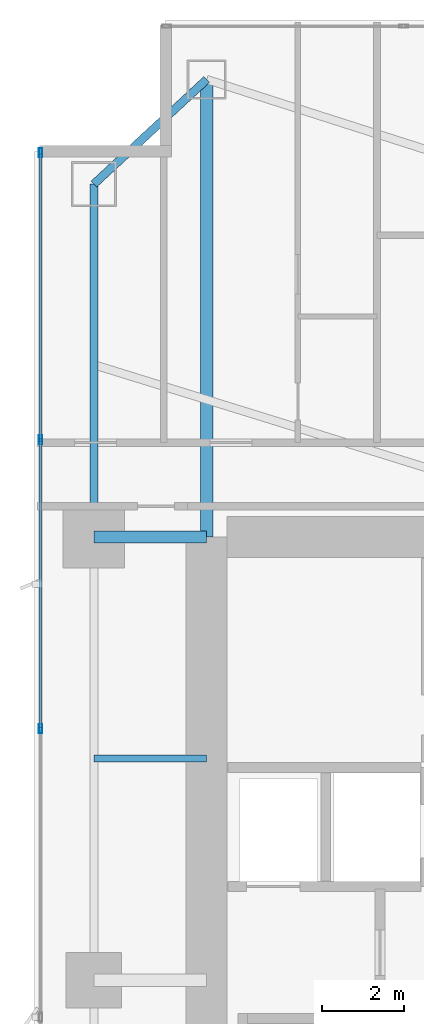
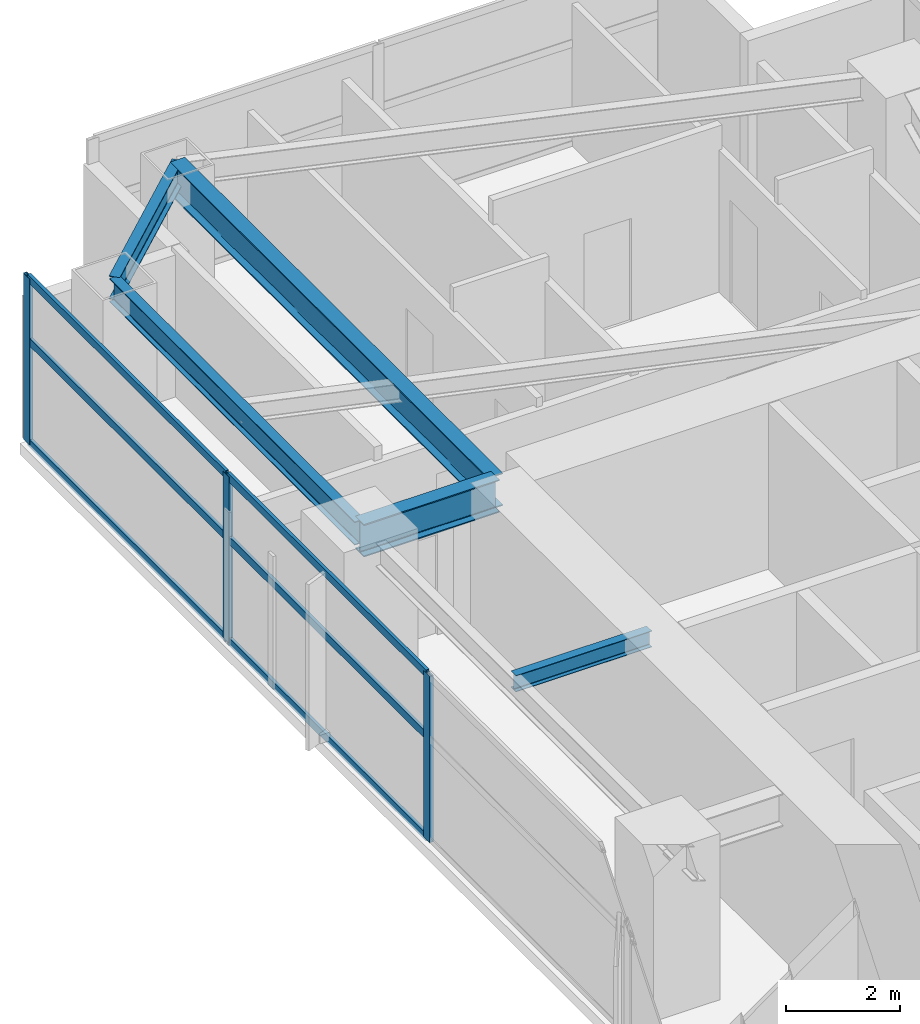
# One storey, part 16 of 29: 9 members, 5 beams, 1 element without a shape of its own.
"""IFC4 building model written with IfcOpenShell, lengths in metres."""

from ifc_helpers import new_model, si_unit, direction, frame, origin, origin_2d, place, context, subcontext, project, spatial, hollow_rectangle, i_section, extrude, material, layer, layer_set, material_profile, profile_set, type_object, element, aggregate, save


model = new_model("IFC4")

# Units and contexts
model_context = context("Model", 3, precision=1e-05, world=origin(), true_north=direction((0.0, 1.0)))
body_context = subcontext(model_context, "Body", "Model", "MODEL_VIEW")
ifc_project = project(units=[si_unit("LENGTHUNIT", "METRE"), si_unit("AREAUNIT", "SQUARE_METRE"), si_unit("VOLUMEUNIT", "CUBIC_METRE"), si_unit("PLANEANGLEUNIT", "RADIAN"), si_unit("MASSUNIT", "GRAM", prefix="KILO")], contexts=[model_context])

# Site, building, storey
site_placement = place(None, origin())
site = spatial("IfcSite", under=ifc_project, at=site_placement, CompositionType="ELEMENT")
building_placement = place(site_placement, origin())
building = spatial("IfcBuilding", under=site, at=building_placement, Name="Calvorn Quay Hotel", CompositionType="ELEMENT")
storey_placement = place(building_placement, frame((0.0, 0.0, 34.60009765625)))
storey = spatial("IfcBuildingStorey", under=building, at=storey_placement, Name="L07", CompositionType="ELEMENT", Elevation=34.60009765625)

# Beams
ifc_material_1 = material(Name="Steel Q390GJC", Category="steel")
ifc_material_profile_1 = material_profile(ifc_material_1, i_section(OverallWidth=0.300048828125, OverallDepth=0.699951171875, WebThickness=0.012939453125, FlangeThickness=0.02392578125, FilletRadius=0.02392578125, at=origin_2d()), Name="HN700x300x13x24")
ifc_profile_set_1 = profile_set([ifc_material_profile_1], Name="Steel Q390GJC")
beam_type_1 = type_object("IfcBeamType", Name="BM-GIRD-MAIN", PredefinedType="BEAM", material=ifc_profile_set_1)
beam_1_placement = place(storey_placement, frame((1.449951171875, 38.39990234375, 3.18994140625), z_axis=(1.0, 0.0, 0.0), x_axis=(0.0, 1.0, 0.0)))
element("IfcBeam", 1, at=beam_1_placement, inside=storey, type_object=beam_type_1, Name="Beam BG-L07-W3", PredefinedType="BEAM", context=body_context, shape_type="SweptSolid", body=[
    extrude(i_section(OverallWidth=0.300048828125, OverallDepth=0.699951171875, WebThickness=0.012939453125, FlangeThickness=0.02392578125, FilletRadius=0.02392578125, at=origin_2d()), origin(), (0.0, 0.0, 1.0), 2.75),
])
beam_2_placement = place(storey_placement, frame((4.199951171875, 49.550048828125, 3.18994140625), z_axis=(0.0, -1.0, 0.0), x_axis=(1.0, 0.0, 0.0)))
element("IfcBeam", 2, at=beam_2_placement, inside=storey, type_object=beam_type_1, Name="Beam BG-L07-W5", PredefinedType="BEAM", context=body_context, shape_type="SweptSolid", body=[
    extrude(i_section(OverallWidth=0.300048828125, OverallDepth=0.699951171875, WebThickness=0.012939453125, FlangeThickness=0.02392578125, FilletRadius=0.02392578125, at=origin_2d()), origin(), (0.0, 0.0, 1.0), 11.150146484375),
])
ifc_material_2 = material(Name="Steel Q355B", Category="steel")
ifc_material_profile_2 = material_profile(ifc_material_2, i_section(OverallWidth=0.175048828125, OverallDepth=0.35009765625, WebThickness=0.007080078125, FlangeThickness=0.010986328125, FilletRadius=0.013916015625, at=origin_2d()), Name="HN350x175x7x11")
ifc_profile_set_2 = profile_set([ifc_material_profile_2], Name="Steel Q355B")
beam_type_2 = type_object("IfcBeamType", Name="BM-JOIST-SEC", PredefinedType="JOIST", material=ifc_profile_set_2)
beam_3_placement = place(storey_placement, frame((1.449951171875, 33.0, 3.364990234375), z_axis=(1.0, 0.0, 0.0), x_axis=(0.0, 1.0, 0.0)))
element("IfcBeam", 3, at=beam_3_placement, inside=storey, type_object=beam_type_2, Name="Beam BJ-L07-W4", PredefinedType="JOIST", context=body_context, shape_type="SweptSolid", body=[
    extrude(i_section(OverallWidth=0.175048828125, OverallDepth=0.35009765625, WebThickness=0.007080078125, FlangeThickness=0.010986328125, FilletRadius=0.013916015625, at=origin_2d()), origin(), (0.0, 0.0, 1.0), 2.75),
])
ifc_material_3 = material(Name="Steel Q355B", Category="steel")
ifc_material_profile_3 = material_profile(ifc_material_3, i_section(OverallWidth=0.199951171875, OverallDepth=0.5, WebThickness=0.010009765625, FlangeThickness=0.01611328125, FilletRadius=0.01611328125, at=origin_2d()), Name="HN500x200x10x16")
ifc_profile_set_3 = profile_set([ifc_material_profile_3], Name="Steel Q355B")
beam_type_3 = type_object("IfcBeamType", Name="BM-SPANDREL-Z1", PredefinedType="SPANDREL", material=ifc_profile_set_3)
beam_4_placement = place(storey_placement, frame((1.449951171875, 38.39990234375, 3.289794921875), z_axis=(0.0, 1.0, 0.0), x_axis=(-1.0, 0.0, 0.0)))
element("IfcBeam", 4, at=beam_4_placement, inside=storey, type_object=beam_type_3, Name="Beam BSP-L07-W4", PredefinedType="SPANDREL", context=body_context, shape_type="SweptSolid", body=[
    extrude(i_section(OverallWidth=0.199951171875, OverallDepth=0.5, WebThickness=0.010009765625, FlangeThickness=0.01611328125, FilletRadius=0.01611328125, at=origin_2d()), origin(), (0.0, 0.0, 1.0), 8.60009765625),
])
beam_5_placement = place(storey_placement, frame((1.449951171875, 47.0, 3.289794921875), z_axis=(0.733261665538, 0.679946563969, 0.0), x_axis=(-0.679946563969, 0.733261665538, 0.0)))
element("IfcBeam", 5, at=beam_5_placement, inside=storey, type_object=beam_type_3, Name="Beam BSP-L07-W5", PredefinedType="SPANDREL", context=body_context, shape_type="SweptSolid", body=[
    extrude(i_section(OverallWidth=0.199951171875, OverallDepth=0.5, WebThickness=0.010009765625, FlangeThickness=0.01611328125, FilletRadius=0.01611328125, at=origin_2d()), origin(), (0.0, 0.0, 1.0), 3.75048828125),
])

# Curtain wall, members
ifc_material_4 = material(Name="Pale Anodised Aluminium and Low-E Glass", Category="aluminium")
ifc_layer = layer(ifc_material_4, 0.219970703125)
ifc_layer_set = layer_set([ifc_layer], Name="CW-SYS-Z1")
curtain_wall_type = type_object("IfcCurtainWallType", Name="CW-SYS-Z1", PredefinedType="NOTDEFINED", material=ifc_layer_set)
curtain_wall_placement = place(storey_placement, origin())
curtain_wall = element("IfcCurtainWall", 6, at=curtain_wall_placement, inside=storey, type_object=curtain_wall_type, Name="Tower West Curtain Wall (L07)", PredefinedType="NOTDEFINED")
ifc_material_5 = material(Name="Pale Anodised Aluminium 6063-T6", Category="aluminium")
ifc_material_profile_4 = material_profile(ifc_material_5, hollow_rectangle(XDim=0.074951171875, YDim=0.219970703125, WallThickness=0.00439453125, at=origin_2d()), Name="ALU-M220x75x4.5")
ifc_profile_set_4 = profile_set([ifc_material_profile_4], Name="Pale Anodised Aluminium 6063-T6")
member_type_1 = type_object("IfcMemberType", Name="CW-SYS-Z1-MUL", PredefinedType="MULLION", material=ifc_profile_set_4)
member_1_placement = place(storey_placement, frame((0.14990234375, 33.7333984375, 0.0), z_axis=(0.0, 0.0, 1.0), x_axis=(-1.0, 0.0, 0.0)))
member_1 = element("IfcMember", 7, at=member_1_placement, type_object=member_type_1, Name="CW-L07-W mullion 5", PredefinedType="MULLION", context=body_context, shape_type="SweptSolid", body=[
    extrude(hollow_rectangle(XDim=0.074951171875, YDim=0.219970703125, WallThickness=0.00439453125, at=origin_2d()), origin(), (0.0, 0.0, 1.0), 3.559814453125),
])
member_2_placement = place(storey_placement, frame((0.14990234375, 40.7666015625, 0.0), z_axis=(0.0, 0.0, 1.0), x_axis=(-1.0, 0.0, 0.0)))
member_2 = element("IfcMember", 8, at=member_2_placement, type_object=member_type_1, Name="CW-L07-W mullion 6", PredefinedType="MULLION", context=body_context, shape_type="SweptSolid", body=[
    extrude(hollow_rectangle(XDim=0.074951171875, YDim=0.219970703125, WallThickness=0.00439453125, at=origin_2d()), origin(), (0.0, 0.0, 1.0), 3.559814453125),
])
member_3_placement = place(storey_placement, frame((0.14990234375, 47.77001953125, 0.0), z_axis=(0.0, 0.0, 1.0), x_axis=(-1.0, 0.0, 0.0)))
member_3 = element("IfcMember", 9, at=member_3_placement, type_object=member_type_1, Name="CW-L07-W mullion 7", PredefinedType="MULLION", context=body_context, shape_type="SweptSolid", body=[
    extrude(hollow_rectangle(XDim=0.074951171875, YDim=0.219970703125, WallThickness=0.00439453125, at=origin_2d()), origin(), (0.0, 0.0, 1.0), 3.559814453125),
])
ifc_material_6 = material(Name="Pale Anodised Aluminium 6063-T6", Category="aluminium")
ifc_material_profile_5 = material_profile(ifc_material_6, hollow_rectangle(XDim=0.06494140625, YDim=0.1650390625, WallThickness=0.00341796875, at=origin_2d()), Name="ALU-T165x65x3.5")
ifc_profile_set_5 = profile_set([ifc_material_profile_5], Name="Pale Anodised Aluminium 6063-T6")
member_type_2 = type_object("IfcMemberType", Name="CW-SYS-Z1-TRN", PredefinedType="USERDEFINED", material=ifc_profile_set_5)
member_4_placement = place(storey_placement, frame((0.14990234375, 33.763427734375, 0.02978515625), z_axis=(0.0, 1.0, 0.0), x_axis=(-1.0, 0.0, 0.0)))
member_4 = element("IfcMember", 10, at=member_4_placement, type_object=member_type_2, Name="CW-L07-W transom 5.1", ObjectType="TRANSOM", PredefinedType="USERDEFINED", context=body_context, shape_type="SweptSolid", body=[
    extrude(hollow_rectangle(XDim=0.06494140625, YDim=0.1650390625, WallThickness=0.00341796875, at=origin_2d()), origin(), (0.0, 0.0, 1.0), 6.97314453125),
])
member_5_placement = place(storey_placement, frame((0.14990234375, 33.763427734375, 2.199951171875), z_axis=(0.0, 1.0, 0.0), x_axis=(-1.0, 0.0, 0.0)))
member_5 = element("IfcMember", 11, at=member_5_placement, type_object=member_type_2, Name="CW-L07-W transom 5.2", ObjectType="TRANSOM", PredefinedType="USERDEFINED", context=body_context, shape_type="SweptSolid", body=[
    extrude(hollow_rectangle(XDim=0.06494140625, YDim=0.1650390625, WallThickness=0.00341796875, at=origin_2d()), origin(), (0.0, 0.0, 1.0), 6.97314453125),
])
member_6_placement = place(storey_placement, frame((0.14990234375, 33.763427734375, 3.52978515625), z_axis=(0.0, 1.0, 0.0), x_axis=(-1.0, 0.0, 0.0)))
member_6 = element("IfcMember", 12, at=member_6_placement, type_object=member_type_2, Name="CW-L07-W transom 5.3", ObjectType="TRANSOM", PredefinedType="USERDEFINED", context=body_context, shape_type="SweptSolid", body=[
    extrude(hollow_rectangle(XDim=0.06494140625, YDim=0.1650390625, WallThickness=0.00341796875, at=origin_2d()), origin(), (0.0, 0.0, 1.0), 6.97314453125),
])
member_7_placement = place(storey_placement, frame((0.14990234375, 40.796630859375, 0.02978515625), z_axis=(0.0, 1.0, 0.0), x_axis=(-1.0, 0.0, 0.0)))
member_7 = element("IfcMember", 13, at=member_7_placement, type_object=member_type_2, Name="CW-L07-W transom 6.1", ObjectType="TRANSOM", PredefinedType="USERDEFINED", context=body_context, shape_type="SweptSolid", body=[
    extrude(hollow_rectangle(XDim=0.06494140625, YDim=0.1650390625, WallThickness=0.00341796875, at=origin_2d()), origin(), (0.0, 0.0, 1.0), 6.943359375),
])
member_8_placement = place(storey_placement, frame((0.14990234375, 40.796630859375, 2.199951171875), z_axis=(0.0, 1.0, 0.0), x_axis=(-1.0, 0.0, 0.0)))
member_8 = element("IfcMember", 14, at=member_8_placement, type_object=member_type_2, Name="CW-L07-W transom 6.2", ObjectType="TRANSOM", PredefinedType="USERDEFINED", context=body_context, shape_type="SweptSolid", body=[
    extrude(hollow_rectangle(XDim=0.06494140625, YDim=0.1650390625, WallThickness=0.00341796875, at=origin_2d()), origin(), (0.0, 0.0, 1.0), 6.943359375),
])
member_9_placement = place(storey_placement, frame((0.14990234375, 40.796630859375, 3.52978515625), z_axis=(0.0, 1.0, 0.0), x_axis=(-1.0, 0.0, 0.0)))
member_9 = element("IfcMember", 15, at=member_9_placement, type_object=member_type_2, Name="CW-L07-W transom 6.3", ObjectType="TRANSOM", PredefinedType="USERDEFINED", context=body_context, shape_type="SweptSolid", body=[
    extrude(hollow_rectangle(XDim=0.06494140625, YDim=0.1650390625, WallThickness=0.00341796875, at=origin_2d()), origin(), (0.0, 0.0, 1.0), 6.943359375),
])
aggregate(curtain_wall, [member_1, member_2, member_3, member_4, member_5, member_6, member_7, member_8, member_9])

save(model, "model.ifc")
